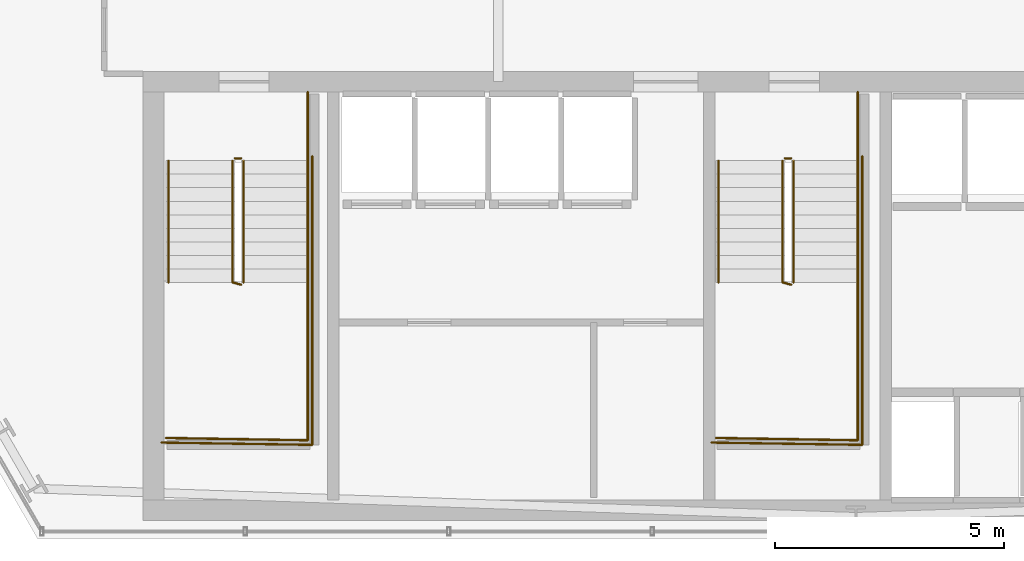
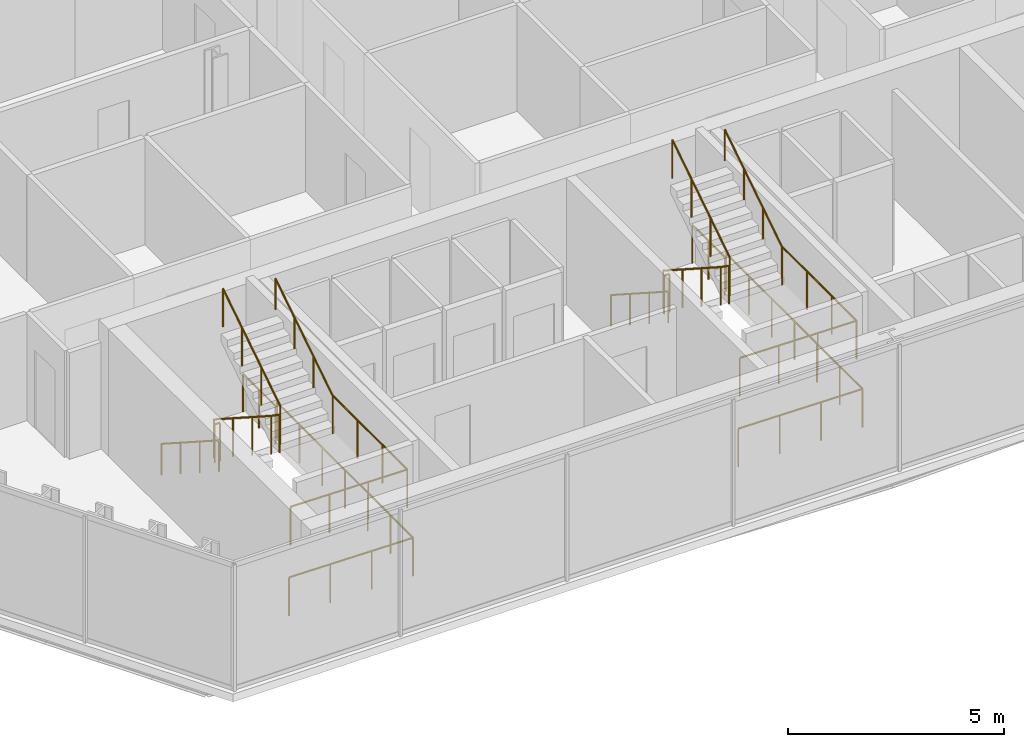
# One storey, part 29 of 31: 16 railings.
"""IFC4 building model written with IfcOpenShell, lengths in metres."""

from ifc_helpers import new_model, si_unit, direction, frame, origin, origin_2d, place, context, subcontext, project, spatial, circle, extrude, material, layer, layer_set, type_object, element, save


model = new_model("IFC4")

# Units and contexts
model_context = context("Model", 3, precision=1e-05, world=origin(), true_north=direction((0.0, 1.0)))
body_context = subcontext(model_context, "Body", "Model", "MODEL_VIEW")
ifc_project = project(units=[si_unit("LENGTHUNIT", "METRE"), si_unit("AREAUNIT", "SQUARE_METRE"), si_unit("VOLUMEUNIT", "CUBIC_METRE"), si_unit("PLANEANGLEUNIT", "RADIAN"), si_unit("MASSUNIT", "GRAM", prefix="KILO")], contexts=[model_context])

# Site, building, storey
site_placement = place(None, origin())
site = spatial("IfcSite", under=ifc_project, at=site_placement, CompositionType="ELEMENT")
building_placement = place(site_placement, origin())
building = spatial("IfcBuilding", under=site, at=building_placement, Name="Ndaravel Arena Tower", CompositionType="ELEMENT")
storey_placement = place(building_placement, frame((0.0, 0.0, 142.199951171875)))
storey = spatial("IfcBuildingStorey", under=building, at=storey_placement, Name="L33", CompositionType="ELEMENT", Elevation=142.199951171875)

# Railings
ifc_material_1 = material(Name="Steel S355", Category="steel")
ifc_layer_1 = layer(ifc_material_1, 0.06005859375)
ifc_layer_set_1 = layer_set([ifc_layer_1], Name="Steel S355")
railing_type_1 = type_object("IfcRailingType", Name="RAIL-STAIR-GD1100", PredefinedType="GUARDRAIL", material=ifc_layer_set_1)
railing_1_placement = place(storey_placement, frame((28.39990234375, 13.25, 0.18994140625)))
element("IfcRailing", 1, at=railing_1_placement, inside=storey, type_object=railing_type_1, Name="L33 ST-1 stair guard 1", PredefinedType="GUARDRAIL", context=body_context, shape_type="SweptSolid", body=[
    extrude(circle(Radius=0.02392578125, at=origin_2d()), frame((0.0, 0.0, 1.076171875), z_axis=(0.0, -0.840688348013, 0.541519253134), x_axis=(1.0, 0.0, 0.0)), (0.0, 0.0, 1.0), 3.158203125),
    extrude(circle(Radius=0.02392578125, at=origin_2d()), frame((0.0, -2.655029296875, 2.7861328125), z_axis=(0.967074537263, -0.25449329928, 0.0), x_axis=(0.25449329928, 0.967074537263, 0.0)), (0.0, 0.0, 1.0), 0.19677734375),
    extrude(circle(Radius=0.02099609375, at=origin_2d()), origin(), (0.0, 0.0, 1.0), 1.052001953125),
    extrude(circle(Radius=0.02099609375, at=origin_2d()), frame((0.0, -0.885009765625, 0.570068359375)), (0.0, 0.0, 1.0), 1.052001953125),
    extrude(circle(Radius=0.02099609375, at=origin_2d()), frame((0.0, -1.77001953125, 1.14013671875)), (0.0, 0.0, 1.0), 1.052001953125),
    extrude(circle(Radius=0.02099609375, at=origin_2d()), frame((0.0, -2.655029296875, 1.710205078125)), (0.0, 0.0, 1.0), 1.052001953125),
    extrude(circle(Radius=0.02099609375, at=origin_2d()), frame((0.190185546875, -2.705078125, 1.710205078125)), (0.0, 0.0, 1.0), 1.052001953125),
])
railing_2_placement = place(storey_placement, frame((30.0400390625, 10.594970703125, 1.900146484375)))
element("IfcRailing", 2, at=railing_2_placement, inside=storey, type_object=railing_type_1, Name="L33 ST-1 stair guard 2", PredefinedType="GUARDRAIL", context=body_context, shape_type="SweptSolid", body=[
    extrude(circle(Radius=0.02392578125, at=origin_2d()), frame((0.0, 0.0, 1.076171875), z_axis=(0.0, -1.0, 0.0), x_axis=(1.0, 0.0, 0.0)), (0.0, 0.0, 1.0), 3.445068359375),
    extrude(circle(Radius=0.02392578125, at=origin_2d()), frame((0.0, -3.445068359375, 1.076171875), z_axis=(-0.999868861343, 0.016194447071, 0.0), x_axis=(-0.016194447071, -0.999868861343, 0.0)), (0.0, 0.0, 1.0), 3.090576171875),
    extrude(circle(Radius=0.02099609375, at=origin_2d()), origin(), (0.0, 0.0, 1.0), 1.052001953125),
    extrude(circle(Radius=0.02099609375, at=origin_2d()), frame((0.0, -1.1484375, 0.0)), (0.0, 0.0, 1.0), 1.052001953125),
    extrude(circle(Radius=0.02099609375, at=origin_2d()), frame((0.0, -2.296630859375, 0.0)), (0.0, 0.0, 1.0), 1.052001953125),
    extrude(circle(Radius=0.02099609375, at=origin_2d()), frame((0.0, -3.445068359375, 0.0)), (0.0, 0.0, 1.0), 1.052001953125),
    extrude(circle(Radius=0.02099609375, at=origin_2d()), frame((-1.030029296875, -3.428466796875, 0.0)), (0.0, 0.0, 1.0), 1.052001953125),
    extrude(circle(Radius=0.02099609375, at=origin_2d()), frame((-2.06005859375, -3.41162109375, 0.0)), (0.0, 0.0, 1.0), 1.052001953125),
    extrude(circle(Radius=0.02099609375, at=origin_2d()), frame((-3.090087890625, -3.39501953125, 0.0)), (0.0, 0.0, 1.0), 1.052001953125),
])
railing_3_placement = place(storey_placement, frame((28.639892578125, 10.594970703125, 2.090087890625)))
element("IfcRailing", 3, at=railing_3_placement, inside=storey, type_object=railing_type_1, Name="L33 ST-1 stair guard 3", PredefinedType="GUARDRAIL", context=body_context, shape_type="SweptSolid", body=[
    extrude(circle(Radius=0.02392578125, at=origin_2d()), frame((0.0, 0.0, 1.076171875), z_axis=(0.0, 0.840723540582, 0.54146461409), x_axis=(-1.0, 0.0, 0.0)), (0.0, 0.0, 1.0), 3.157958984375),
    extrude(circle(Radius=0.02099609375, at=origin_2d()), origin(), (0.0, 0.0, 1.0), 1.052001953125),
    extrude(circle(Radius=0.02099609375, at=origin_2d()), frame((0.0, 0.885009765625, 0.570068359375)), (0.0, 0.0, 1.0), 1.052001953125),
    extrude(circle(Radius=0.02099609375, at=origin_2d()), frame((0.0, 1.77001953125, 1.139892578125)), (0.0, 0.0, 1.0), 1.052001953125),
    extrude(circle(Radius=0.02099609375, at=origin_2d()), frame((0.0, 2.655029296875, 1.7099609375)), (0.0, 0.0, 1.0), 1.052001953125),
])
railing_4_placement = place(storey_placement, frame((28.449951171875, 13.300048828125, 0.0)))
element("IfcRailing", 4, at=railing_4_placement, inside=storey, type_object=railing_type_1, Name="L33 ST-1 stair guard 4", PredefinedType="GUARDRAIL", context=body_context, shape_type="SweptSolid", body=[
    extrude(circle(Radius=0.02392578125, at=origin_2d()), frame((0.0, 0.0, 1.076171875), z_axis=(1.0, 0.0, 0.0), x_axis=(0.0, 1.0, 0.0)), (0.0, 0.0, 1.0), 0.14013671875),
    extrude(circle(Radius=0.02099609375, at=origin_2d()), origin(), (0.0, 0.0, 1.0), 1.052001953125),
    extrude(circle(Radius=0.02099609375, at=origin_2d()), frame((0.14013671875, 0.0, 0.0)), (0.0, 0.0, 1.0), 1.052001953125),
])
railing_5_placement = place(storey_placement, frame((30.0400390625, 14.75, 0.0)))
element("IfcRailing", 5, at=railing_5_placement, inside=storey, type_object=railing_type_1, Name="L33 ST-1 stair guard 5", PredefinedType="GUARDRAIL", context=body_context, shape_type="SweptSolid", body=[
    extrude(circle(Radius=0.02392578125, at=origin_2d()), frame((0.0, 0.0, 1.076171875), z_axis=(0.0, -1.0, 0.0), x_axis=(1.0, 0.0, 0.0)), (0.0, 0.0, 1.0), 1.5),
    extrude(circle(Radius=0.02099609375, at=origin_2d()), origin(), (0.0, 0.0, 1.0), 1.052001953125),
    extrude(circle(Radius=0.02099609375, at=origin_2d()), frame((0.0, -0.75, 0.0)), (0.0, 0.0, 1.0), 1.052001953125),
    extrude(circle(Radius=0.02099609375, at=origin_2d()), frame((0.0, -1.5, 0.0)), (0.0, 0.0, 1.0), 1.052001953125),
])
railing_6_placement = place(storey_placement, frame((30.139892578125, 13.35009765625, 0.0)))
element("IfcRailing", 6, at=railing_6_placement, inside=storey, type_object=railing_type_1, Name="L33 ST-1 stair guard 6", PredefinedType="GUARDRAIL", context=body_context, shape_type="SweptSolid", body=[
    extrude(circle(Radius=0.02392578125, at=origin_2d()), frame((0.0, 0.0, 1.076171875), z_axis=(0.0, -1.0, 0.0), x_axis=(1.0, 0.0, 0.0)), (0.0, 0.0, 1.0), 6.300048828125),
    extrude(circle(Radius=0.02392578125, at=origin_2d()), frame((0.0, -6.300048828125, 1.076171875), z_axis=(-0.999884296952, 0.015211597839, 0.0), x_axis=(-0.015211597839, -0.999884296952, 0.0)), (0.0, 0.0, 1.0), 3.290283203125),
    extrude(circle(Radius=0.02099609375, at=origin_2d()), origin(), (0.0, 0.0, 1.0), 1.052001953125),
    extrude(circle(Radius=0.02099609375, at=origin_2d()), frame((0.0, -1.050048828125, 0.0)), (0.0, 0.0, 1.0), 1.052001953125),
    extrude(circle(Radius=0.02099609375, at=origin_2d()), frame((0.0, -2.10009765625, 0.0)), (0.0, 0.0, 1.0), 1.052001953125),
    extrude(circle(Radius=0.02099609375, at=origin_2d()), frame((0.0, -3.14990234375, 0.0)), (0.0, 0.0, 1.0), 1.052001953125),
    extrude(circle(Radius=0.02099609375, at=origin_2d()), frame((0.0, -4.199951171875, 0.0)), (0.0, 0.0, 1.0), 1.052001953125),
    extrude(circle(Radius=0.02099609375, at=origin_2d()), frame((0.0, -5.25, 0.0)), (0.0, 0.0, 1.0), 1.052001953125),
    extrude(circle(Radius=0.02099609375, at=origin_2d()), frame((0.0, -6.300048828125, 0.0)), (0.0, 0.0, 1.0), 1.052001953125),
    extrude(circle(Radius=0.02099609375, at=origin_2d()), frame((-1.0966796875, -6.283447265625, 0.0)), (0.0, 0.0, 1.0), 1.052001953125),
    extrude(circle(Radius=0.02099609375, at=origin_2d()), frame((-2.193115234375, -6.2666015625, 0.0)), (0.0, 0.0, 1.0), 1.052001953125),
    extrude(circle(Radius=0.02099609375, at=origin_2d()), frame((-3.289794921875, -6.25, 0.0)), (0.0, 0.0, 1.0), 1.052001953125),
])
railing_7_placement = place(storey_placement, frame((40.39990234375, 13.25, 0.18994140625)))
element("IfcRailing", 7, at=railing_7_placement, inside=storey, type_object=railing_type_1, Name="L33 ST-2 stair guard 1", PredefinedType="GUARDRAIL", context=body_context, shape_type="SweptSolid", body=[
    extrude(circle(Radius=0.02392578125, at=origin_2d()), frame((0.0, 0.0, 1.076171875), z_axis=(0.0, -0.840688348013, 0.541519253134), x_axis=(1.0, 0.0, 0.0)), (0.0, 0.0, 1.0), 3.158203125),
    extrude(circle(Radius=0.02392578125, at=origin_2d()), frame((0.0, -2.655029296875, 2.7861328125), z_axis=(0.967074537263, -0.25449329928, 0.0), x_axis=(0.25449329928, 0.967074537263, 0.0)), (0.0, 0.0, 1.0), 0.19677734375),
    extrude(circle(Radius=0.02099609375, at=origin_2d()), origin(), (0.0, 0.0, 1.0), 1.052001953125),
    extrude(circle(Radius=0.02099609375, at=origin_2d()), frame((0.0, -0.885009765625, 0.570068359375)), (0.0, 0.0, 1.0), 1.052001953125),
    extrude(circle(Radius=0.02099609375, at=origin_2d()), frame((0.0, -1.77001953125, 1.14013671875)), (0.0, 0.0, 1.0), 1.052001953125),
    extrude(circle(Radius=0.02099609375, at=origin_2d()), frame((0.0, -2.655029296875, 1.710205078125)), (0.0, 0.0, 1.0), 1.052001953125),
    extrude(circle(Radius=0.02099609375, at=origin_2d()), frame((0.190185546875, -2.705078125, 1.710205078125)), (0.0, 0.0, 1.0), 1.052001953125),
])
railing_8_placement = place(storey_placement, frame((42.0400390625, 10.594970703125, 1.900146484375)))
element("IfcRailing", 8, at=railing_8_placement, inside=storey, type_object=railing_type_1, Name="L33 ST-2 stair guard 2", PredefinedType="GUARDRAIL", context=body_context, shape_type="SweptSolid", body=[
    extrude(circle(Radius=0.02392578125, at=origin_2d()), frame((0.0, 0.0, 1.076171875), z_axis=(0.0, -1.0, 0.0), x_axis=(1.0, 0.0, 0.0)), (0.0, 0.0, 1.0), 3.445068359375),
    extrude(circle(Radius=0.02392578125, at=origin_2d()), frame((0.0, -3.445068359375, 1.076171875), z_axis=(-0.999868861343, 0.016194447071, 0.0), x_axis=(-0.016194447071, -0.999868861343, 0.0)), (0.0, 0.0, 1.0), 3.090576171875),
    extrude(circle(Radius=0.02099609375, at=origin_2d()), origin(), (0.0, 0.0, 1.0), 1.052001953125),
    extrude(circle(Radius=0.02099609375, at=origin_2d()), frame((0.0, -1.1484375, 0.0)), (0.0, 0.0, 1.0), 1.052001953125),
    extrude(circle(Radius=0.02099609375, at=origin_2d()), frame((0.0, -2.296630859375, 0.0)), (0.0, 0.0, 1.0), 1.052001953125),
    extrude(circle(Radius=0.02099609375, at=origin_2d()), frame((0.0, -3.445068359375, 0.0)), (0.0, 0.0, 1.0), 1.052001953125),
    extrude(circle(Radius=0.02099609375, at=origin_2d()), frame((-1.030029296875, -3.428466796875, 0.0)), (0.0, 0.0, 1.0), 1.052001953125),
    extrude(circle(Radius=0.02099609375, at=origin_2d()), frame((-2.06005859375, -3.41162109375, 0.0)), (0.0, 0.0, 1.0), 1.052001953125),
    extrude(circle(Radius=0.02099609375, at=origin_2d()), frame((-3.090087890625, -3.39501953125, 0.0)), (0.0, 0.0, 1.0), 1.052001953125),
])
railing_9_placement = place(storey_placement, frame((40.639892578125, 10.594970703125, 2.090087890625)))
element("IfcRailing", 9, at=railing_9_placement, inside=storey, type_object=railing_type_1, Name="L33 ST-2 stair guard 3", PredefinedType="GUARDRAIL", context=body_context, shape_type="SweptSolid", body=[
    extrude(circle(Radius=0.02392578125, at=origin_2d()), frame((0.0, 0.0, 1.076171875), z_axis=(0.0, 0.840723540582, 0.54146461409), x_axis=(-1.0, 0.0, 0.0)), (0.0, 0.0, 1.0), 3.157958984375),
    extrude(circle(Radius=0.02099609375, at=origin_2d()), origin(), (0.0, 0.0, 1.0), 1.052001953125),
    extrude(circle(Radius=0.02099609375, at=origin_2d()), frame((0.0, 0.885009765625, 0.570068359375)), (0.0, 0.0, 1.0), 1.052001953125),
    extrude(circle(Radius=0.02099609375, at=origin_2d()), frame((0.0, 1.77001953125, 1.139892578125)), (0.0, 0.0, 1.0), 1.052001953125),
    extrude(circle(Radius=0.02099609375, at=origin_2d()), frame((0.0, 2.655029296875, 1.7099609375)), (0.0, 0.0, 1.0), 1.052001953125),
])
railing_10_placement = place(storey_placement, frame((40.449951171875, 13.300048828125, 0.0)))
element("IfcRailing", 10, at=railing_10_placement, inside=storey, type_object=railing_type_1, Name="L33 ST-2 stair guard 4", PredefinedType="GUARDRAIL", context=body_context, shape_type="SweptSolid", body=[
    extrude(circle(Radius=0.02392578125, at=origin_2d()), frame((0.0, 0.0, 1.076171875), z_axis=(1.0, 0.0, 0.0), x_axis=(0.0, 1.0, 0.0)), (0.0, 0.0, 1.0), 0.14013671875),
    extrude(circle(Radius=0.02099609375, at=origin_2d()), origin(), (0.0, 0.0, 1.0), 1.052001953125),
    extrude(circle(Radius=0.02099609375, at=origin_2d()), frame((0.14013671875, 0.0, 0.0)), (0.0, 0.0, 1.0), 1.052001953125),
])
railing_11_placement = place(storey_placement, frame((42.0400390625, 14.75, 0.0)))
element("IfcRailing", 11, at=railing_11_placement, inside=storey, type_object=railing_type_1, Name="L33 ST-2 stair guard 5", PredefinedType="GUARDRAIL", context=body_context, shape_type="SweptSolid", body=[
    extrude(circle(Radius=0.02392578125, at=origin_2d()), frame((0.0, 0.0, 1.076171875), z_axis=(0.0, -1.0, 0.0), x_axis=(1.0, 0.0, 0.0)), (0.0, 0.0, 1.0), 1.5),
    extrude(circle(Radius=0.02099609375, at=origin_2d()), origin(), (0.0, 0.0, 1.0), 1.052001953125),
    extrude(circle(Radius=0.02099609375, at=origin_2d()), frame((0.0, -0.75, 0.0)), (0.0, 0.0, 1.0), 1.052001953125),
    extrude(circle(Radius=0.02099609375, at=origin_2d()), frame((0.0, -1.5, 0.0)), (0.0, 0.0, 1.0), 1.052001953125),
])
railing_12_placement = place(storey_placement, frame((42.139892578125, 13.35009765625, 0.0)))
element("IfcRailing", 12, at=railing_12_placement, inside=storey, type_object=railing_type_1, Name="L33 ST-2 stair guard 6", PredefinedType="GUARDRAIL", context=body_context, shape_type="SweptSolid", body=[
    extrude(circle(Radius=0.02392578125, at=origin_2d()), frame((0.0, 0.0, 1.076171875), z_axis=(0.0, -1.0, 0.0), x_axis=(1.0, 0.0, 0.0)), (0.0, 0.0, 1.0), 6.300048828125),
    extrude(circle(Radius=0.02392578125, at=origin_2d()), frame((0.0, -6.300048828125, 1.076171875), z_axis=(-0.999884296952, 0.015211597839, 0.0), x_axis=(-0.015211597839, -0.999884296952, 0.0)), (0.0, 0.0, 1.0), 3.290283203125),
    extrude(circle(Radius=0.02099609375, at=origin_2d()), origin(), (0.0, 0.0, 1.0), 1.052001953125),
    extrude(circle(Radius=0.02099609375, at=origin_2d()), frame((0.0, -1.050048828125, 0.0)), (0.0, 0.0, 1.0), 1.052001953125),
    extrude(circle(Radius=0.02099609375, at=origin_2d()), frame((0.0, -2.10009765625, 0.0)), (0.0, 0.0, 1.0), 1.052001953125),
    extrude(circle(Radius=0.02099609375, at=origin_2d()), frame((0.0, -3.14990234375, 0.0)), (0.0, 0.0, 1.0), 1.052001953125),
    extrude(circle(Radius=0.02099609375, at=origin_2d()), frame((0.0, -4.199951171875, 0.0)), (0.0, 0.0, 1.0), 1.052001953125),
    extrude(circle(Radius=0.02099609375, at=origin_2d()), frame((0.0, -5.25, 0.0)), (0.0, 0.0, 1.0), 1.052001953125),
    extrude(circle(Radius=0.02099609375, at=origin_2d()), frame((0.0, -6.300048828125, 0.0)), (0.0, 0.0, 1.0), 1.052001953125),
    extrude(circle(Radius=0.02099609375, at=origin_2d()), frame((-1.0966796875, -6.283447265625, 0.0)), (0.0, 0.0, 1.0), 1.052001953125),
    extrude(circle(Radius=0.02099609375, at=origin_2d()), frame((-2.193115234375, -6.2666015625, 0.0)), (0.0, 0.0, 1.0), 1.052001953125),
    extrude(circle(Radius=0.02099609375, at=origin_2d()), frame((-3.289794921875, -6.25, 0.0)), (0.0, 0.0, 1.0), 1.052001953125),
])
ifc_material_2 = material(Name="Steel S355", Category="steel")
ifc_layer_2 = layer(ifc_material_2, 0.050048828125)
ifc_layer_set_2 = layer_set([ifc_layer_2], Name="Steel S355")
railing_type_2 = type_object("IfcRailingType", Name="RAIL-STAIR-HR920", PredefinedType="HANDRAIL", material=ifc_layer_set_2)
railing_13_placement = place(storey_placement, frame((27.0, 13.25, 0.18994140625)))
element("IfcRailing", 13, at=railing_13_placement, inside=storey, type_object=railing_type_2, Name="L33 ST-1 stair handrail 1", PredefinedType="HANDRAIL", context=body_context, shape_type="SweptSolid", body=[
    extrude(circle(Radius=0.02392578125, at=origin_2d()), frame((0.0, 0.0, 0.8759765625), z_axis=(0.0, -0.840688348013, 0.541519253134), x_axis=(1.0, 0.0, 0.0)), (0.0, 0.0, 1.0), 3.158203125),
    extrude(circle(Radius=0.02099609375, at=origin_2d()), origin(), (0.0, 0.0, 1.0), 0.851806640625),
    extrude(circle(Radius=0.02099609375, at=origin_2d()), frame((0.0, -0.885009765625, 0.570068359375)), (0.0, 0.0, 1.0), 0.851806640625),
    extrude(circle(Radius=0.02099609375, at=origin_2d()), frame((0.0, -1.77001953125, 1.14013671875)), (0.0, 0.0, 1.0), 0.851806640625),
    extrude(circle(Radius=0.02099609375, at=origin_2d()), frame((0.0, -2.655029296875, 1.710205078125)), (0.0, 0.0, 1.0), 0.851806640625),
])
railing_14_placement = place(storey_placement, frame((30.0400390625, 10.594970703125, 2.090087890625)))
element("IfcRailing", 14, at=railing_14_placement, inside=storey, type_object=railing_type_2, Name="L33 ST-1 stair handrail 2", PredefinedType="HANDRAIL", context=body_context, shape_type="SweptSolid", body=[
    extrude(circle(Radius=0.02392578125, at=origin_2d()), frame((0.0, 0.0, 0.8759765625), z_axis=(0.0, 0.840723540582, 0.54146461409), x_axis=(-1.0, 0.0, 0.0)), (0.0, 0.0, 1.0), 3.157958984375),
    extrude(circle(Radius=0.02099609375, at=origin_2d()), origin(), (0.0, 0.0, 1.0), 0.851806640625),
    extrude(circle(Radius=0.02099609375, at=origin_2d()), frame((0.0, 0.885009765625, 0.570068359375)), (0.0, 0.0, 1.0), 0.851806640625),
    extrude(circle(Radius=0.02099609375, at=origin_2d()), frame((0.0, 1.77001953125, 1.139892578125)), (0.0, 0.0, 1.0), 0.851806640625),
    extrude(circle(Radius=0.02099609375, at=origin_2d()), frame((0.0, 2.655029296875, 1.7099609375)), (0.0, 0.0, 1.0), 0.851806640625),
])
railing_15_placement = place(storey_placement, frame((39.0, 13.25, 0.18994140625)))
element("IfcRailing", 15, at=railing_15_placement, inside=storey, type_object=railing_type_2, Name="L33 ST-2 stair handrail 1", PredefinedType="HANDRAIL", context=body_context, shape_type="SweptSolid", body=[
    extrude(circle(Radius=0.02392578125, at=origin_2d()), frame((0.0, 0.0, 0.8759765625), z_axis=(0.0, -0.840688348013, 0.541519253134), x_axis=(1.0, 0.0, 0.0)), (0.0, 0.0, 1.0), 3.158203125),
    extrude(circle(Radius=0.02099609375, at=origin_2d()), origin(), (0.0, 0.0, 1.0), 0.851806640625),
    extrude(circle(Radius=0.02099609375, at=origin_2d()), frame((0.0, -0.885009765625, 0.570068359375)), (0.0, 0.0, 1.0), 0.851806640625),
    extrude(circle(Radius=0.02099609375, at=origin_2d()), frame((0.0, -1.77001953125, 1.14013671875)), (0.0, 0.0, 1.0), 0.851806640625),
    extrude(circle(Radius=0.02099609375, at=origin_2d()), frame((0.0, -2.655029296875, 1.710205078125)), (0.0, 0.0, 1.0), 0.851806640625),
])
railing_16_placement = place(storey_placement, frame((42.0400390625, 10.594970703125, 2.090087890625)))
element("IfcRailing", 16, at=railing_16_placement, inside=storey, type_object=railing_type_2, Name="L33 ST-2 stair handrail 2", PredefinedType="HANDRAIL", context=body_context, shape_type="SweptSolid", body=[
    extrude(circle(Radius=0.02392578125, at=origin_2d()), frame((0.0, 0.0, 0.8759765625), z_axis=(0.0, 0.840723540582, 0.54146461409), x_axis=(-1.0, 0.0, 0.0)), (0.0, 0.0, 1.0), 3.157958984375),
    extrude(circle(Radius=0.02099609375, at=origin_2d()), origin(), (0.0, 0.0, 1.0), 0.851806640625),
    extrude(circle(Radius=0.02099609375, at=origin_2d()), frame((0.0, 0.885009765625, 0.570068359375)), (0.0, 0.0, 1.0), 0.851806640625),
    extrude(circle(Radius=0.02099609375, at=origin_2d()), frame((0.0, 1.77001953125, 1.139892578125)), (0.0, 0.0, 1.0), 0.851806640625),
    extrude(circle(Radius=0.02099609375, at=origin_2d()), frame((0.0, 2.655029296875, 1.7099609375)), (0.0, 0.0, 1.0), 0.851806640625),
])

save(model, "model.ifc")
